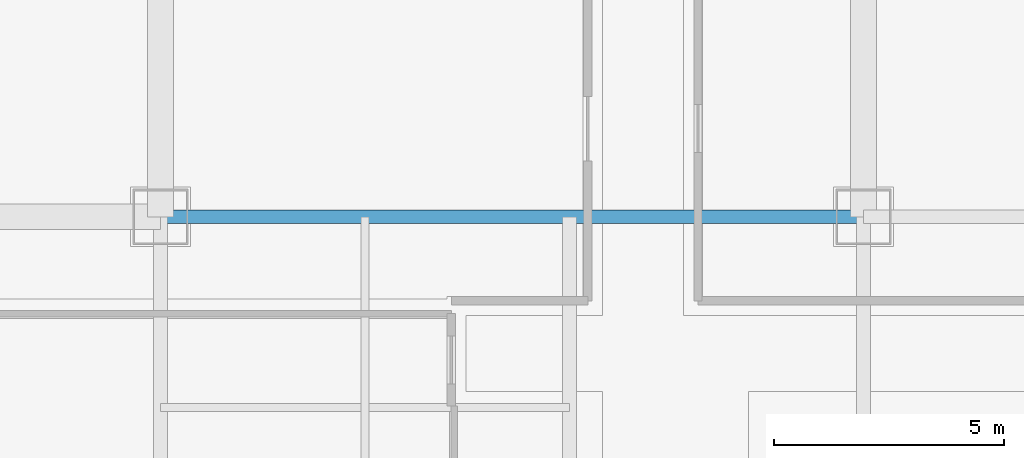
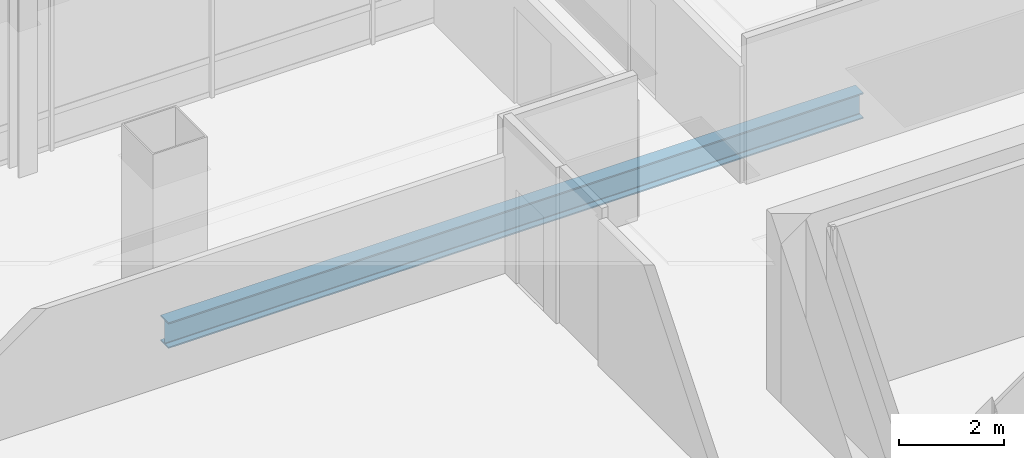
# One storey, part 22 of 41: 1 beam.
"""IFC4 building model written with IfcOpenShell, lengths in metres."""

import ifcopenshell
import ifcopenshell.guid

model = None  # the IFC model being written
_history = None  # IfcOwnerHistory: only IFC2X3 demands one
_inside = {}  # id of a spatial element -> (the spatial element, [elements in it])
_under = {}  # id of a project, library or spatial element -> (it, [spatial elements below it])
_declared = {}  # id of a project -> (the project, [libraries it declares])
_typed = {}  # id of a type object -> (the type object, [elements of that type])
_made_of = {}  # id of a material, layer set ... -> (it, [elements and type objects made of it])


def new_model(schema):
    """Start an empty IFC model of exactly this schema.

    Asked for "IFC4X3", IfcOpenShell would pick the latest addendum, in which some entities
    have other attributes; the version numbers below select the first issue.
    IFC2X3 requires an IfcOwnerHistory on every rooted entity: one is made here for all.
    """
    global model, _history
    if schema == "IFC4X3":
        model = ifcopenshell.file(schema_version=(4, 3, 0, 0))
    else:
        model = ifcopenshell.file(schema=schema)
    _inside.clear()
    _under.clear()
    _declared.clear()
    _typed.clear()
    _made_of.clear()
    _history = None
    if model.schema == "IFC2X3":
        org = make("IfcOrganization", Name="unknown")
        user = make(
            "IfcPersonAndOrganization",
            ThePerson=make("IfcPerson", FamilyName="unknown"),
            TheOrganization=org,
        )
        app = make(
            "IfcApplication",
            ApplicationDeveloper=org,
            Version="unknown",
            ApplicationFullName="unknown",
            ApplicationIdentifier="unknown",
        )
        _history = make(
            "IfcOwnerHistory",
            OwningUser=user,
            OwningApplication=app,
            ChangeAction="ADDED",
            CreationDate=0,
        )
    return model


def make(cls, **values):
    """One entity of the class cls with the attributes given. An attribute that is None is left unset."""
    return model.create_entity(
        cls, **{name: value for name, value in values.items() if value is not None}
    )


def rooted(cls, **values):
    """An entity with a GlobalId (a new one), such as an element, a storey or a relation."""
    return make(cls, GlobalId=ifcopenshell.guid.new(), OwnerHistory=_history, **values)


def si_unit(unit_type, name, prefix=None):
    """IfcSIUnit, for example si_unit("LENGTHUNIT", "METRE", prefix="MILLI")."""
    return make("IfcSIUnit", UnitType=unit_type, Prefix=prefix, Name=name)


def assignment(units):
    """IfcUnitAssignment: the units of a project."""
    return None if units is None else make("IfcUnitAssignment", Units=units)


def point(xyz):
    """IfcCartesianPoint."""
    return None if xyz is None else make("IfcCartesianPoint", Coordinates=xyz)


def direction(xyz):
    """IfcDirection."""
    return None if xyz is None else make("IfcDirection", DirectionRatios=xyz)


def frame(location, z_axis=None, x_axis=None):
    """IfcAxis2Placement3D, a coordinate frame: its origin and axes. An axis left out is left unset."""
    return make(
        "IfcAxis2Placement3D",
        Location=point(location),
        Axis=direction(z_axis),
        RefDirection=direction(x_axis),
    )


def frame_2d(location, x_axis=None):
    """IfcAxis2Placement2D, a coordinate frame in the plane: its origin and x axis."""
    return make(
        "IfcAxis2Placement2D", Location=point(location), RefDirection=direction(x_axis)
    )


def origin():
    """The frame at (0, 0, 0) with its axes left unset."""
    return frame((0.0, 0.0, 0.0))


def origin_2d():
    """The frame at (0, 0) in the plane with its x axis left unset."""
    return frame_2d((0.0, 0.0))


def place(relative_to, where):
    """IfcLocalPlacement: puts the frame where relative to a parent placement (None: the world)."""
    return make(
        "IfcLocalPlacement", PlacementRelTo=relative_to, RelativePlacement=where
    )


def context(
    kind, dimensions, precision=None, world=None, true_north=None, identifier=None
):
    """IfcGeometricRepresentationContext, for example the 3D "Model" context."""
    return make(
        "IfcGeometricRepresentationContext",
        ContextIdentifier=identifier,
        ContextType=kind,
        CoordinateSpaceDimension=dimensions,
        Precision=precision,
        WorldCoordinateSystem=world,
        TrueNorth=true_north,
    )


def subcontext(parent, identifier, kind, view, scale=None):
    """IfcGeometricRepresentationSubContext, for example "Body" below "Model"."""
    return make(
        "IfcGeometricRepresentationSubContext",
        ContextIdentifier=identifier,
        ContextType=kind,
        ParentContext=parent,
        TargetScale=scale,
        TargetView=view,
    )


def project(units=None, contexts=None):
    """IfcProject with its units and contexts."""
    return rooted(
        "IfcProject",
        Name="project",
        RepresentationContexts=contexts,
        UnitsInContext=assignment(units),
    )


def spatial(cls, under=None, at=None, **own):
    """A site, building, storey or space (cls), placed at a placement, below another one or the project."""
    s = rooted(cls, ObjectPlacement=at, **own)
    if under is not None:
        _under.setdefault(under.id(), (under, []))[1].append(s)
    return s


def profile(cls, at=None, kind="AREA", **sizes):
    """A parametric profile (cls). Its sizes go by their IFC names, for example OverallWidth=200.0."""
    return make(cls, ProfileType=kind, Position=at, **sizes)


def i_section(**sizes):
    """IfcIShapeProfileDef."""
    return profile("IfcIShapeProfileDef", **sizes)


def extrude(swept, where, along, depth):
    """IfcExtrudedAreaSolid: the profile swept, set in the frame where, extruded along a direction by depth."""
    return make(
        "IfcExtrudedAreaSolid",
        SweptArea=swept,
        Position=where,
        ExtrudedDirection=direction(along),
        Depth=depth,
    )


def shape(context_of_items, identifier, shape_type, items):
    """IfcShapeRepresentation: the items that make up one representation, for example the "Body"."""
    return make(
        "IfcShapeRepresentation",
        ContextOfItems=context_of_items,
        RepresentationIdentifier=identifier,
        RepresentationType=shape_type,
        Items=items,
    )


def material(Name=None, Category=None):
    """IfcMaterial."""
    return make("IfcMaterial", Name=Name, Category=Category)


def material_profile(
    of_material, cross_section, Name=None, Category=None, Priority=None
):
    """IfcMaterialProfile: a cross section and its material."""
    return make(
        "IfcMaterialProfile",
        Name=Name,
        Material=of_material,
        Profile=cross_section,
        Priority=Priority,
        Category=Category,
    )


def profile_set(profiles, Name=None, composite=None):
    """IfcMaterialProfileSet."""
    return make(
        "IfcMaterialProfileSet",
        Name=Name,
        MaterialProfiles=profiles,
        CompositeProfile=composite,
    )


def made_of(thing, what):
    """Note that an element or type object is made of a material, layer set ...; save() writes the relation."""
    if what is not None:
        _made_of.setdefault(what.id(), (what, []))[1].append(thing)
    return thing


def type_object(cls, material=None, **own):
    """A type object (cls), such as IfcWallType, which elements share."""
    return made_of(rooted(cls, **own), material)


def element(
    cls,
    number,
    at=None,
    inside=None,
    cuts=None,
    type_object=None,
    material=None,
    context=None,
    identifier="Body",
    shape_type=None,
    held_by="IfcProductDefinitionShape",
    body=None,
    shapes=None,
    **own,
):
    """One element of the class cls, such as IfcWall. Its Tag is "e" and its number.

    at: its placement. inside: the storey or other place that contains it. cuts: it is an
    opening in that element (IfcRelVoidsElement). A single representation is given by context,
    identifier, shape_type and body (its items); several are given by shapes. held_by: the class
    of the entity that holds the representations. save() writes the other relations.
    """
    e = rooted(cls, Tag="e%d" % number, ObjectPlacement=at, **own)
    if body is not None:
        shapes = [shape(context, identifier, shape_type, body)]
    if shapes is not None:
        e.Representation = make(held_by, Representations=shapes)
    if inside is not None:
        _inside.setdefault(inside.id(), (inside, []))[1].append(e)
    if cuts is not None:
        rooted(
            "IfcRelVoidsElement", RelatingBuildingElement=cuts, RelatedOpeningElement=e
        )
    if type_object is not None:
        _typed.setdefault(type_object.id(), (type_object, []))[1].append(e)
    return made_of(e, material)


def aggregate(whole, parts):
    """IfcRelAggregates: a whole, such as a stair, and the parts it consists of."""
    return rooted("IfcRelAggregates", RelatingObject=whole, RelatedObjects=parts)


def save(model, path):
    """Write the relations noted so far, then the file.

    IfcRelAggregates (storeys below a building ...), IfcRelContainedInSpatialStructure (elements
    in a storey), IfcRelDefinesByType, IfcRelAssociatesMaterial and IfcRelDeclares: one each for
    every whole, place, type object, material and project.
    """
    for whole, parts in _under.values():
        aggregate(whole, parts)
    for where, things in _inside.values():
        rooted(
            "IfcRelContainedInSpatialStructure",
            RelatedElements=things,
            RelatingStructure=where,
        )
    for kind, things in _typed.values():
        rooted("IfcRelDefinesByType", RelatedObjects=things, RelatingType=kind)
    for what, things in _made_of.values():
        rooted("IfcRelAssociatesMaterial", RelatedObjects=things, RelatingMaterial=what)
    for by, libraries in _declared.values():
        rooted("IfcRelDeclares", RelatingContext=by, RelatedDefinitions=libraries)
    model.write(path)


model = new_model("IFC4")

# Units and contexts
model_context = context("Model", 3, precision=1e-05, world=origin(), true_north=direction((0.0, 1.0)))
body_context = subcontext(model_context, "Body", "Model", "MODEL_VIEW")
ifc_project = project(units=[si_unit("LENGTHUNIT", "METRE"), si_unit("AREAUNIT", "SQUARE_METRE"), si_unit("VOLUMEUNIT", "CUBIC_METRE"), si_unit("PLANEANGLEUNIT", "RADIAN"), si_unit("MASSUNIT", "GRAM", prefix="KILO")], contexts=[model_context])

# Site, building, storey
site_placement = place(None, origin())
site = spatial("IfcSite", under=ifc_project, at=site_placement, CompositionType="ELEMENT")
building_placement = place(site_placement, origin())
building = spatial("IfcBuilding", under=site, at=building_placement, Name="Punatoya Terracotta Tower", CompositionType="ELEMENT")
storey_placement = place(building_placement, frame((0.0, 0.0, 292.199951171875)))
storey = spatial("IfcBuildingStorey", under=building, at=storey_placement, Name="L69", CompositionType="ELEMENT", Elevation=292.199951171875)

# Beam
ifc_material = material(Name="Steel S355", Category="steel")
ifc_material_profile = material_profile(ifc_material, i_section(OverallWidth=0.300048828125, OverallDepth=0.60009765625, WebThickness=0.015380859375, FlangeThickness=0.030029296875, FilletRadius=0.01806640625, at=origin_2d()))
ifc_profile_set = profile_set([ifc_material_profile], Name="Steel S355")
beam_type = type_object("IfcBeamType", Name="BM-PRI-600", PredefinedType="BEAM", material=ifc_profile_set)
beam_placement = place(storey_placement, frame((-19.10009765625, 17.5, -0.5), z_axis=(1.0, 0.0, 0.0), x_axis=(0.0, 1.0, 0.0)))
element("IfcBeam", 1, at=beam_placement, inside=storey, type_object=beam_type, Name="BM-L69-RG-N1", PredefinedType="BEAM", context=body_context, shape_type="SweptSolid", body=[
    extrude(i_section(OverallWidth=0.300048828125, OverallDepth=0.60009765625, WebThickness=0.015380859375, FlangeThickness=0.030029296875, FilletRadius=0.01806640625, at=origin_2d()), origin(), (0.0, 0.0, 1.0), 15.300048828125),
])

save(model, "model.ifc")
